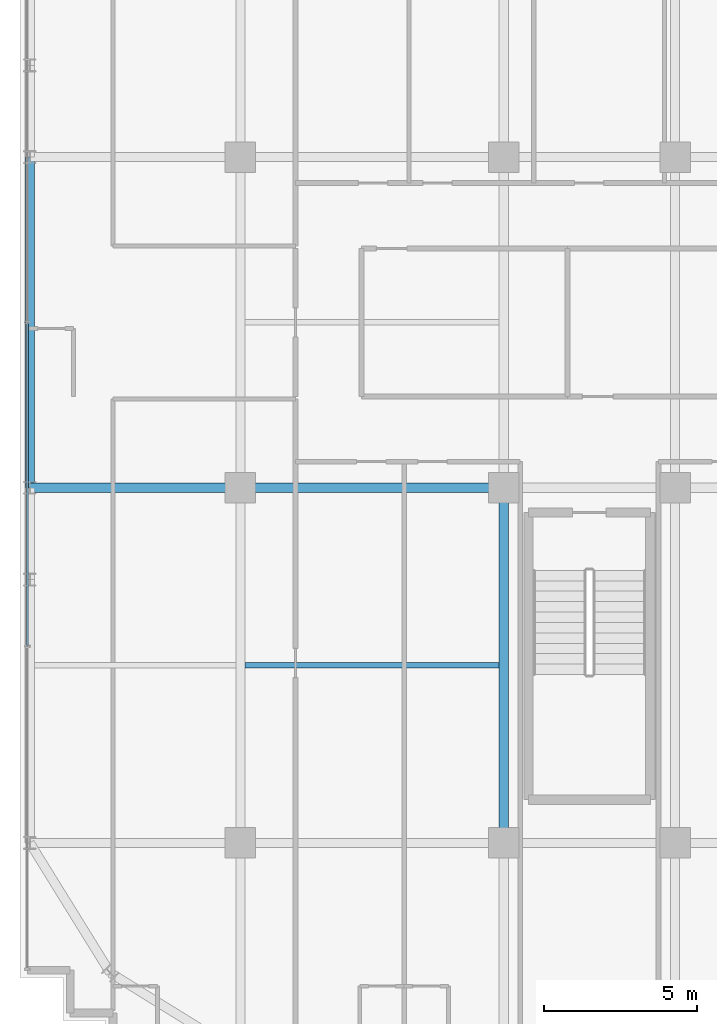
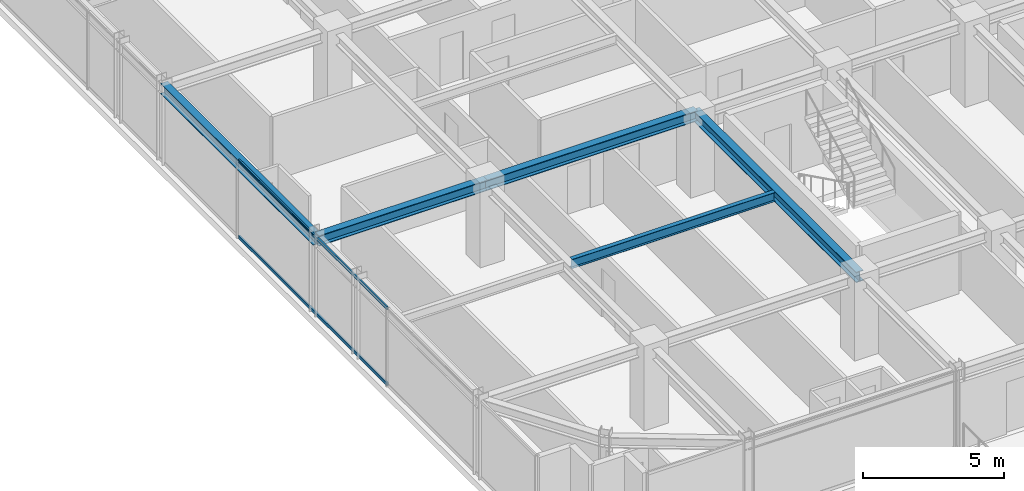
# One storey, part 9 of 34: 5 beams, 2 members, 1 element without a shape of its own.
"""IFC4 building model written with IfcOpenShell, lengths in metres."""

from ifc_helpers import new_model, si_unit, direction, frame, origin, origin_2d, place, context, subcontext, project, spatial, hollow_rectangle, i_section, extrude, source, transform, mapped, material, material_profile, profile_set, type_object, element, aggregate, save


model = new_model("IFC4")

# Units and contexts
model_context = context("Model", 3, precision=1e-05, world=origin(), true_north=direction((0.0, 1.0)))
body_context = subcontext(model_context, "Body", "Model", "MODEL_VIEW")
ifc_project = project(units=[si_unit("LENGTHUNIT", "METRE"), si_unit("AREAUNIT", "SQUARE_METRE"), si_unit("VOLUMEUNIT", "CUBIC_METRE"), si_unit("PLANEANGLEUNIT", "RADIAN"), si_unit("MASSUNIT", "GRAM", prefix="KILO")], contexts=[model_context])

# Site, building, storey
site_placement = place(None, origin())
site = spatial("IfcSite", under=ifc_project, at=site_placement, CompositionType="ELEMENT")
building_placement = place(site_placement, origin())
building = spatial("IfcBuilding", under=site, at=building_placement, Name="Nahalor Promenade Grand Hotel", CompositionType="ELEMENT")
storey_placement = place(building_placement, frame((0.0, 0.0, 208.60009765625)))
storey = spatial("IfcBuildingStorey", under=building, at=storey_placement, Name="L53", CompositionType="ELEMENT", Elevation=208.60009765625)

# Beams
ifc_material_1 = material(Name="Steel S355JR", Category="steel")
ifc_material_profile_1 = material_profile(ifc_material_1, i_section(OverallWidth=0.3, OverallDepth=0.45, WebThickness=0.014, FlangeThickness=0.026, at=origin_2d()), Name="HEB 450")
ifc_profile_set_1 = profile_set([ifc_material_profile_1], Name="Steel S355JR")
beam_type_1 = type_object("IfcBeamType", Name="Beam-Spandrel-HEB450", PredefinedType="SPANDREL", material=ifc_profile_set_1)
shared_shape_1 = source(origin(), body_context, "Body", "SweptSolid", [
    extrude(i_section(OverallWidth=0.3, OverallDepth=0.45, WebThickness=0.014, FlangeThickness=0.026, at=origin_2d()), origin(), (0.0, 0.0, 1.0), 10.7998046875),
])
beam_1_placement = place(storey_placement, frame((-23.8798828125, -5.39990234375, 3.184814453125), z_axis=(0.0, 1.0, 0.0), x_axis=(-1.0, 0.0, 0.0)))
element("IfcBeam", 1, at=beam_1_placement, inside=storey, type_object=beam_type_1, Name="BM-L53-SP-W-2", PredefinedType="SPANDREL", context=body_context, shape_type="MappedRepresentation", body=[
    mapped(shared_shape_1, transform((0.0, 0.0, 0.0), scale=1.0)),
])
ifc_material_profile_2 = material_profile(ifc_material_1, i_section(OverallWidth=0.3, OverallDepth=0.45, WebThickness=0.014, FlangeThickness=0.026, at=origin_2d()), Name="HEB 450")
ifc_profile_set_2 = profile_set([ifc_material_profile_2], Name="Steel S355JR")
beam_type_2 = type_object("IfcBeamType", Name="Beam-Girder-HEB450", PredefinedType="BEAM", material=ifc_profile_set_2)
shared_shape_2 = source(origin(), body_context, "Body", "SweptSolid", [
    extrude(i_section(OverallWidth=0.3, OverallDepth=0.45, WebThickness=0.014, FlangeThickness=0.026, at=origin_2d()), origin(), (0.0, 0.0, 1.0), 6.8798828125),
])
beam_2_placement = place(storey_placement, frame((-23.8798828125, -5.39990234375, 3.184814453125), z_axis=(1.0, 0.0, 0.0), x_axis=(0.0, 1.0, 0.0)))
element("IfcBeam", 2, at=beam_2_placement, inside=storey, type_object=beam_type_2, Name="BM-L53-GX-1-0", PredefinedType="BEAM", context=body_context, shape_type="MappedRepresentation", body=[
    mapped(shared_shape_2, transform((0.0, 0.0, 0.0), scale=1.0)),
])
shared_shape_3 = source(origin(), body_context, "Body", "SweptSolid", [
    extrude(i_section(OverallWidth=0.3, OverallDepth=0.45, WebThickness=0.014, FlangeThickness=0.026, at=origin_2d()), origin(), (0.0, 0.0, 1.0), 8.60009765625),
])
beam_3_placement = place(storey_placement, frame((-17.0, -5.39990234375, 3.184814453125), z_axis=(1.0, 0.0, 0.0), x_axis=(0.0, 1.0, 0.0)))
element("IfcBeam", 3, at=beam_3_placement, inside=storey, type_object=beam_type_2, Name="BM-L53-GX-1-1", PredefinedType="BEAM", context=body_context, shape_type="MappedRepresentation", body=[
    mapped(shared_shape_3, transform((0.0, 0.0, 0.0), scale=1.0)),
])
shared_shape_4 = source(origin(), body_context, "Body", "SweptSolid", [
    extrude(i_section(OverallWidth=0.3, OverallDepth=0.45, WebThickness=0.014, FlangeThickness=0.026, at=origin_2d()), origin(), (0.0, 0.0, 1.0), 11.60009765625),
])
beam_4_placement = place(storey_placement, frame((-8.39990234375, -17.0, 3.184814453125), z_axis=(0.0, 1.0, 0.0), x_axis=(-1.0, 0.0, 0.0)))
element("IfcBeam", 4, at=beam_4_placement, inside=storey, type_object=beam_type_2, Name="BM-L53-GY-1-1", PredefinedType="BEAM", context=body_context, shape_type="MappedRepresentation", body=[
    mapped(shared_shape_4, transform((0.0, 0.0, 0.0), scale=1.0)),
])
ifc_material_profile_3 = material_profile(ifc_material_1, i_section(OverallWidth=0.18, OverallDepth=0.4, WebThickness=0.0086, FlangeThickness=0.0135, at=origin_2d()), Name="IPE 400")
ifc_profile_set_3 = profile_set([ifc_material_profile_3], Name="Steel S355JR")
beam_type_3 = type_object("IfcBeamType", Name="Beam-Joist-IPE400", PredefinedType="JOIST", material=ifc_profile_set_3)
shared_shape_5 = source(origin(), body_context, "Body", "SweptSolid", [
    extrude(i_section(OverallWidth=0.18, OverallDepth=0.4, WebThickness=0.0086, FlangeThickness=0.0135, at=origin_2d()), origin(), (0.0, 0.0, 1.0), 8.300048828125),
])
beam_5_placement = place(storey_placement, frame((-16.85009765625, -11.199951171875, 3.2099609375), z_axis=(1.0, 0.0, 0.0), x_axis=(0.0, 1.0, 0.0)))
element("IfcBeam", 5, at=beam_5_placement, inside=storey, type_object=beam_type_3, Name="BM-L53-JSW-0-1", PredefinedType="JOIST", context=body_context, shape_type="MappedRepresentation", body=[
    mapped(shared_shape_5, transform((0.0, 0.0, 0.0), scale=1.0)),
])

# Curtain wall, members
ifc_material_2 = material(Name="Anodised Bronze Aluminium EN AW-6063 T6", Category="aluminium")
curtain_wall_type = type_object("IfcCurtainWallType", Name="CW2 Typical Hotel Flush Bronze Unitised Curtain Wall", PredefinedType="USERDEFINED", material=ifc_material_2)
curtain_wall_placement = place(storey_placement, origin())
curtain_wall = element("IfcCurtainWall", 6, at=curtain_wall_placement, inside=storey, type_object=curtain_wall_type, Name="L53 Curtain Wall CW-L53-W-1", ObjectType="UNITISED_CURTAIN_WALL", PredefinedType="USERDEFINED")
ifc_material_profile_4 = material_profile(ifc_material_2, hollow_rectangle(XDim=0.065, YDim=0.13, WallThickness=0.004, at=origin_2d()), Name="CWT 65x130x4")
ifc_profile_set_4 = profile_set([ifc_material_profile_4], Name="Anodised Bronze Aluminium EN AW-6063 T6")
member_type = type_object("IfcMemberType", Name="CWT2 Typical Bronze Transom 65x130", PredefinedType="USERDEFINED", material=ifc_profile_set_4)
shared_shape_6 = source(origin(), body_context, "Body", "SweptSolid", [
    extrude(hollow_rectangle(XDim=0.065, YDim=0.13, WallThickness=0.004, at=origin_2d()), origin(), (0.0, 0.0, 1.0), 10.51513671875),
])
member_1_placement = place(storey_placement, frame((-23.9599609375, -10.547607421875, 0.06494140625), z_axis=(0.0, 1.0, 0.0), x_axis=(-1.0, 0.0, 0.0)))
member_1 = element("IfcMember", 7, at=member_1_placement, type_object=member_type, Name="CW-L53-W-1 Transom 1-0", ObjectType="TRANSOM", PredefinedType="USERDEFINED", context=body_context, shape_type="MappedRepresentation", body=[
    mapped(shared_shape_6, transform((0.0, 0.0, 0.0), scale=1.0)),
])
member_2_placement = place(storey_placement, frame((-23.9599609375, -10.547607421875, 3.344970703125), z_axis=(0.0, 1.0, 0.0), x_axis=(-1.0, 0.0, 0.0)))
member_2 = element("IfcMember", 8, at=member_2_placement, type_object=member_type, Name="CW-L53-W-1 Transom 1-1", ObjectType="TRANSOM", PredefinedType="USERDEFINED", context=body_context, shape_type="MappedRepresentation", body=[
    mapped(shared_shape_6, transform((0.0, 0.0, 0.0), scale=1.0)),
])
aggregate(curtain_wall, [member_1, member_2])

save(model, "model.ifc")
